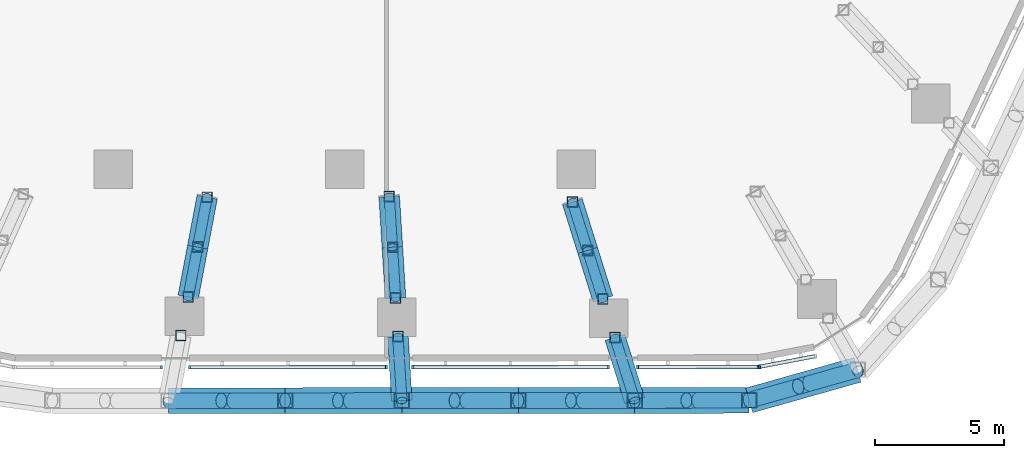
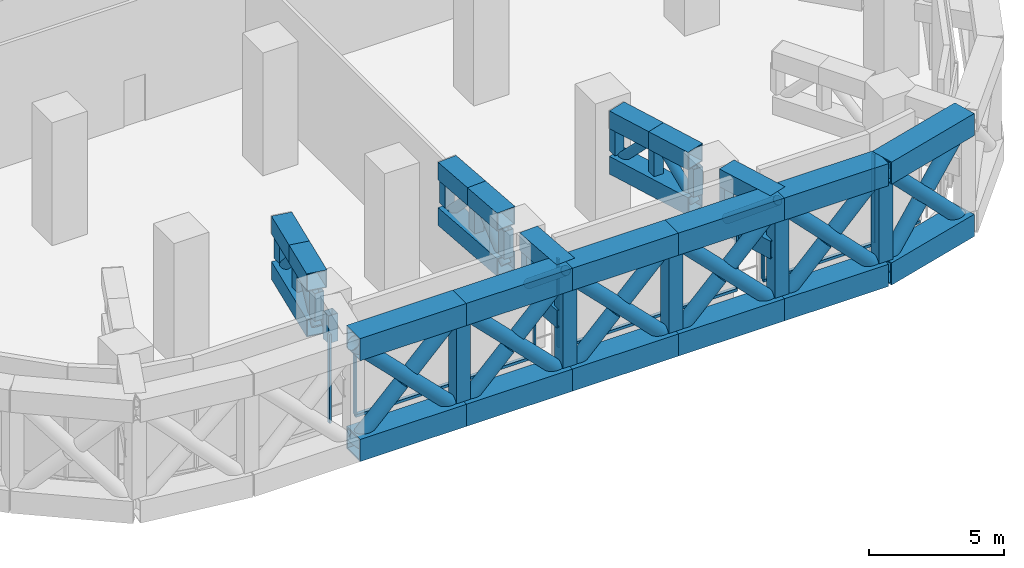
# One storey, part 5 of 38: 80 members, 2 elements without a shape of their own.
"""IFC4 building model written with IfcOpenShell, lengths in metres."""

from ifc_helpers import new_model, si_unit, direction, frame, origin, origin_2d, place, context, subcontext, project, spatial, rectangle, hollow_rectangle, hollow_circle, extrude, material, layer, layer_set, material_profile, profile_set, type_object, element, aggregate, save


model = new_model("IFC4")

# Units and contexts
model_context = context("Model", 3, precision=1e-05, world=origin(), true_north=direction((0.0, 1.0)))
body_context = subcontext(model_context, "Body", "Model", "MODEL_VIEW")
ifc_project = project(units=[si_unit("LENGTHUNIT", "METRE"), si_unit("AREAUNIT", "SQUARE_METRE"), si_unit("VOLUMEUNIT", "CUBIC_METRE"), si_unit("PLANEANGLEUNIT", "RADIAN"), si_unit("MASSUNIT", "GRAM", prefix="KILO")], contexts=[model_context])

# Site, building, storey
site_placement = place(None, origin())
site = spatial("IfcSite", under=ifc_project, at=site_placement, CompositionType="ELEMENT")
building_placement = place(site_placement, origin())
building = spatial("IfcBuilding", under=site, at=building_placement, Name="Dongbaek Canopy Tower", CompositionType="ELEMENT")
storey_placement = place(building_placement, frame((0.0, 0.0, 89.199951171875)))
storey = spatial("IfcBuildingStorey", under=building, at=storey_placement, Name="L18", CompositionType="ELEMENT", Elevation=89.199951171875)

# Members
ifc_material_1 = material(Name="Steel S355", Category="steel")
ifc_material_profile_1 = material_profile(ifc_material_1, hollow_circle(Radius=0.304931640625, WallThickness=0.01611328125, at=origin_2d()), Name="BELT BRACE CHS 610.0x16.0 Steel S355")
ifc_profile_set_1 = profile_set([ifc_material_profile_1], Name="Steel S355")
member_type_1 = type_object("IfcMemberType", Name="BELT BRACE CHS 610.0x16.0 Steel S355", PredefinedType="BRACE", material=ifc_profile_set_1)
member_1_placement = place(storey_placement, frame((19.9462890625, -34.79638671875, 0.5), z_axis=(-0.667371859076, -0.188280671631, 0.720531186281), x_axis=(0.271523728474, -0.962431745567, 0.0)))
element("IfcMember", 1, at=member_1_placement, inside=storey, type_object=member_type_1, Name="BELT:L18:0:D0:0", PredefinedType="BRACE", context=body_context, shape_type="SweptSolid", body=[
    extrude(hollow_circle(Radius=0.304931640625, WallThickness=0.01611328125, at=origin_2d()), origin(), (0.0, 0.0, 1.0), 6.31494140625),
])
for number, where, z_axis, x_axis, name in (
    (2, (15.73193359375, -35.9853515625, 0.5), (0.66737153422, 0.188305421994, 0.720525019247), (-0.271556912002, 0.962422383127, 0.0), "BELT:L18:0:D0:1"),
    (3, (19.9462890625, -34.79638671875, 5.050048828125), (-0.667382288527, -0.188222861674, -0.720536630091), (0.271442573778, -0.962454637446, 0.0), "BELT:L18:0:D0:2"),
):
    element("IfcMember", number, at=place(storey_placement, frame(where, z_axis=z_axis, x_axis=x_axis)), inside=storey, type_object=member_type_1, Name=name, PredefinedType="BRACE", context=body_context, shape_type="SweptSolid", body=[
        extrude(hollow_circle(Radius=0.304931640625, WallThickness=0.01611328125, at=origin_2d()), origin(), (0.0, 0.0, 1.0), 2.852294921875),
    ])
member_2_placement = place(storey_placement, frame((15.73193359375, -35.9853515625, 0.5), z_axis=(-0.699414652241, -0.000383493065, 0.71471602554), x_axis=(0.000548305653, -0.99999984968, 0.0)))
element("IfcMember", 4, at=member_2_placement, inside=storey, type_object=member_type_1, Name="BELT:L18:0:D1:0", PredefinedType="BRACE", context=body_context, shape_type="SweptSolid", body=[
    extrude(hollow_circle(Radius=0.304931640625, WallThickness=0.01611328125, at=origin_2d()), origin(), (0.0, 0.0, 1.0), 6.3662109375),
])
member_3_placement = place(storey_placement, frame((11.279296875, -35.98779296875, 0.5), z_axis=(0.699388314566, 0.000424128754, 0.714741775443), x_axis=(-0.000606428027, 0.999999816123, 0.0)))
element("IfcMember", 5, at=member_3_placement, inside=storey, type_object=member_type_1, Name="BELT:L18:0:D1:1", PredefinedType="BRACE", context=body_context, shape_type="SweptSolid", body=[
    extrude(hollow_circle(Radius=0.304931640625, WallThickness=0.01611328125, at=origin_2d()), origin(), (0.0, 0.0, 1.0), 2.878173828125),
])
member_4_placement = place(storey_placement, frame((15.73193359375, -35.9853515625, 5.050048828125), z_axis=(-0.699430741425, -0.000339323586, -0.714700302791), x_axis=(0.000485142454, -0.999999882318, 0.0)))
element("IfcMember", 6, at=member_4_placement, inside=storey, type_object=member_type_1, Name="BELT:L18:0:D1:2", PredefinedType="BRACE", context=body_context, shape_type="SweptSolid", body=[
    extrude(hollow_circle(Radius=0.304931640625, WallThickness=0.01611328125, at=origin_2d()), origin(), (0.0, 0.0, 1.0), 2.8779296875),
])
member_5_placement = place(storey_placement, frame((11.279296875, -35.98779296875, 0.5), z_axis=(-0.705221157199, -0.000342377301, 0.708987307515), x_axis=(0.000485489208, -0.99999988215, 0.0)))
element("IfcMember", 7, at=member_5_placement, inside=storey, type_object=member_type_1, Name="BELT:L18:1:D0:0", PredefinedType="BRACE", context=body_context, shape_type="SweptSolid", body=[
    extrude(hollow_circle(Radius=0.304931640625, WallThickness=0.01611328125, at=origin_2d()), origin(), (0.0, 0.0, 1.0), 6.417724609375),
])
for number, where, z_axis, x_axis, name in (
    (8, (6.75341796875, -35.989990234375, 0.5), (0.705212546334, 0.000336295921, 0.708995875445), (-0.000476871667, 0.999999886297, 0.0), "BELT:L18:1:D0:1"),
    (9, (11.279296875, -35.98779296875, 5.050048828125), (-0.705212546334, -0.000336295921, -0.708995875445), (0.000476871667, -0.999999886297, 0.0), "BELT:L18:1:D0:2"),
):
    element("IfcMember", number, at=place(storey_placement, frame(where, z_axis=z_axis, x_axis=x_axis)), inside=storey, type_object=member_type_1, Name=name, PredefinedType="BRACE", context=body_context, shape_type="SweptSolid", body=[
        extrude(hollow_circle(Radius=0.304931640625, WallThickness=0.01611328125, at=origin_2d()), origin(), (0.0, 0.0, 1.0), 2.90380859375),
    ])
member_6_placement = place(storey_placement, frame((6.75341796875, -35.989990234375, 0.5), z_axis=(-0.705221147503, -0.000380419219, 0.708987297768), x_axis=(0.000539432439, -0.999999854506, 0.0)))
element("IfcMember", 10, at=member_6_placement, inside=storey, type_object=member_type_1, Name="BELT:L18:1:D1:0", PredefinedType="BRACE", context=body_context, shape_type="SweptSolid", body=[
    extrude(hollow_circle(Radius=0.304931640625, WallThickness=0.01611328125, at=origin_2d()), origin(), (0.0, 0.0, 1.0), 6.417724609375),
])
for number, where, z_axis, x_axis, name in (
    (11, (2.2275390625, -35.992431640625, 0.5), (0.705212523903, 0.000420369888, 0.708995852893), (-0.000596089546, 0.999999822339, 0.0), "BELT:L18:1:D1:1"),
    (12, (6.75341796875, -35.989990234375, 5.050048828125), (-0.705212523903, -0.000420369888, -0.708995852893), (0.000596089546, -0.999999822339, 0.0), "BELT:L18:1:D1:2"),
):
    element("IfcMember", number, at=place(storey_placement, frame(where, z_axis=z_axis, x_axis=x_axis)), inside=storey, type_object=member_type_1, Name=name, PredefinedType="BRACE", context=body_context, shape_type="SweptSolid", body=[
        extrude(hollow_circle(Radius=0.304931640625, WallThickness=0.01611328125, at=origin_2d()), origin(), (0.0, 0.0, 1.0), 2.90380859375),
    ])
member_7_placement = place(storey_placement, frame((2.2275390625, -35.992431640625, 0.5), z_axis=(-0.70606103942, -0.000379970423, 0.708150876745), x_axis=(0.000538155126, -0.999999855195, 0.0)))
element("IfcMember", 13, at=member_7_placement, inside=storey, type_object=member_type_1, Name="BELT:L18:2:D0:0", PredefinedType="BRACE", context=body_context, shape_type="SweptSolid", body=[
    extrude(hollow_circle(Radius=0.304931640625, WallThickness=0.01611328125, at=origin_2d()), origin(), (0.0, 0.0, 1.0), 6.42529296875),
])
for number, where, z_axis, x_axis, name in (
    (14, (-2.30908203125, -35.994873046875, 0.5), (0.706056385326, 0.000419821849, 0.70815549457), (-0.000594600918, 0.999999823225, 0.0), "BELT:L18:2:D0:1"),
    (15, (2.2275390625, -35.992431640625, 5.050048828125), (-0.706056407726, -0.00033585749, -0.708155517036), (0.000475680764, -0.999999886864, 0.0), "BELT:L18:2:D0:2"),
):
    element("IfcMember", number, at=place(storey_placement, frame(where, z_axis=z_axis, x_axis=x_axis)), inside=storey, type_object=member_type_1, Name=name, PredefinedType="BRACE", context=body_context, shape_type="SweptSolid", body=[
        extrude(hollow_circle(Radius=0.304931640625, WallThickness=0.01611328125, at=origin_2d()), origin(), (0.0, 0.0, 1.0), 2.90771484375),
    ])
member_8_placement = place(storey_placement, frame((-2.30908203125, -35.994873046875, 0.5), z_axis=(-0.70606103942, -0.000379970423, 0.708150876745), x_axis=(0.000538155126, -0.999999855195, 0.0)))
element("IfcMember", 16, at=member_8_placement, inside=storey, type_object=member_type_1, Name="BELT:L18:2:D1:0", PredefinedType="BRACE", context=body_context, shape_type="SweptSolid", body=[
    extrude(hollow_circle(Radius=0.304931640625, WallThickness=0.01611328125, at=origin_2d()), origin(), (0.0, 0.0, 1.0), 6.42529296875),
])
for number, where, z_axis, x_axis, name in (
    (17, (-6.845703125, -35.997314453125, 0.5), (0.706056385326, 0.000419821849, 0.70815549457), (-0.000594600918, 0.999999823225, 0.0), "BELT:L18:2:D1:1"),
    (18, (-2.30908203125, -35.994873046875, 5.050048828125), (-0.706056407726, -0.00033585749, -0.708155517036), (0.000475680764, -0.999999886864, 0.0), "BELT:L18:2:D1:2"),
):
    element("IfcMember", number, at=place(storey_placement, frame(where, z_axis=z_axis, x_axis=x_axis)), inside=storey, type_object=member_type_1, Name=name, PredefinedType="BRACE", context=body_context, shape_type="SweptSolid", body=[
        extrude(hollow_circle(Radius=0.304931640625, WallThickness=0.01611328125, at=origin_2d()), origin(), (0.0, 0.0, 1.0), 2.90771484375),
    ])
ifc_material_2 = material(Name="Steel S355", Category="steel")
ifc_material_profile_2 = material_profile(ifc_material_2, hollow_rectangle(XDim=1.0, YDim=1.0, WallThickness=0.050048828125, at=origin_2d()), Name="BELT CHORD BOX 1000x1000x50 Steel S355")
ifc_profile_set_2 = profile_set([ifc_material_profile_2], Name="Steel S355")
member_type_2 = type_object("IfcMemberType", Name="BELT CHORD BOX 1000x1000x50 Steel S355", PredefinedType="CHORD", material=ifc_profile_set_2)
for number, where, z_axis, x_axis, name in (
    (19, (19.9462890625, -34.79638671875, 0.5), (-0.962431745567, -0.271523728474, 0.0), (0.271523728474, -0.962431745567, 0.0), "BELT:L18:0:CB0"),
    (20, (19.9462890625, -34.79638671875, 5.050048828125), (-0.962431745567, -0.271523728474, 0.0), (0.271523728474, -0.962431745567, 0.0), "BELT:L18:0:CT0"),
):
    element("IfcMember", number, at=place(storey_placement, frame(where, z_axis=z_axis, x_axis=x_axis)), inside=storey, type_object=member_type_2, Name=name, PredefinedType="CHORD", context=body_context, shape_type="SweptSolid", body=[
        extrude(hollow_rectangle(XDim=1.0, YDim=1.0, WallThickness=0.050048828125, at=origin_2d()), origin(), (0.0, 0.0, 1.0), 4.37890625),
    ])
for number, where, z_axis, x_axis, name in (
    (21, (15.73193359375, -35.9853515625, 0.5), (-0.99999984968, -0.000548305653, 0.0), (0.000548305653, -0.99999984968, 0.0), "BELT:L18:0:CB1"),
    (22, (15.73193359375, -35.9853515625, 5.050048828125), (-0.99999984968, -0.000548305653, 0.0), (0.000548305653, -0.99999984968, 0.0), "BELT:L18:0:CT1"),
):
    element("IfcMember", number, at=place(storey_placement, frame(where, z_axis=z_axis, x_axis=x_axis)), inside=storey, type_object=member_type_2, Name=name, PredefinedType="CHORD", context=body_context, shape_type="SweptSolid", body=[
        extrude(hollow_rectangle(XDim=1.0, YDim=1.0, WallThickness=0.050048828125, at=origin_2d()), origin(), (0.0, 0.0, 1.0), 4.45263671875),
    ])
for number, where, z_axis, x_axis, name in (
    (23, (11.279296875, -35.98779296875, 0.5), (-0.99999988215, -0.000485489208, 0.0), (0.000485489208, -0.99999988215, 0.0), "BELT:L18:1:CB0"),
    (24, (11.279296875, -35.98779296875, 5.050048828125), (-0.99999988215, -0.000485489208, 0.0), (0.000485489208, -0.99999988215, 0.0), "BELT:L18:1:CT0"),
    (25, (6.75341796875, -35.989990234375, 0.5), (-0.999999854506, -0.000539432439, 0.0), (0.000539432439, -0.999999854506, 0.0), "BELT:L18:1:CB1"),
    (26, (6.75341796875, -35.989990234375, 5.050048828125), (-0.999999854506, -0.000539432439, 0.0), (0.000539432439, -0.999999854506, 0.0), "BELT:L18:1:CT1"),
):
    element("IfcMember", number, at=place(storey_placement, frame(where, z_axis=z_axis, x_axis=x_axis)), inside=storey, type_object=member_type_2, Name=name, PredefinedType="CHORD", context=body_context, shape_type="SweptSolid", body=[
        extrude(hollow_rectangle(XDim=1.0, YDim=1.0, WallThickness=0.050048828125, at=origin_2d()), origin(), (0.0, 0.0, 1.0), 4.52587890625),
    ])
for number, where, z_axis, x_axis, name in (
    (27, (2.2275390625, -35.992431640625, 0.5), (-0.999999855195, -0.000538155126, 0.0), (0.000538155126, -0.999999855195, 0.0), "BELT:L18:2:CB0"),
    (28, (2.2275390625, -35.992431640625, 5.050048828125), (-0.999999855195, -0.000538155126, 0.0), (0.000538155126, -0.999999855195, 0.0), "BELT:L18:2:CT0"),
    (29, (-2.30908203125, -35.994873046875, 0.5), (-0.999999855195, -0.000538155126, 0.0), (0.000538155126, -0.999999855195, 0.0), "BELT:L18:2:CB1"),
    (30, (-2.30908203125, -35.994873046875, 5.050048828125), (-0.999999855195, -0.000538155126, 0.0), (0.000538155126, -0.999999855195, 0.0), "BELT:L18:2:CT1"),
):
    element("IfcMember", number, at=place(storey_placement, frame(where, z_axis=z_axis, x_axis=x_axis)), inside=storey, type_object=member_type_2, Name=name, PredefinedType="CHORD", context=body_context, shape_type="SweptSolid", body=[
        extrude(hollow_rectangle(XDim=1.0, YDim=1.0, WallThickness=0.050048828125, at=origin_2d()), origin(), (0.0, 0.0, 1.0), 4.53662109375),
    ])
ifc_material_3 = material(Name="Steel S355", Category="steel")
ifc_material_profile_3 = material_profile(ifc_material_3, hollow_rectangle(XDim=0.60009765625, YDim=0.60009765625, WallThickness=0.031982421875, at=origin_2d()), Name="BELT POST BOX 600x600x32 Steel S355")
ifc_profile_set_3 = profile_set([ifc_material_profile_3], Name="Steel S355")
member_type_3 = type_object("IfcMemberType", Name="BELT POST BOX 600x600x32 Steel S355", PredefinedType="POST", material=ifc_profile_set_3)
for number, where, z_axis, x_axis, name in (
    (31, (15.73193359375, -35.9853515625, 1.0), (0.0, 0.0, 1.0), (1.0, 0.0, 0.0), "BELT:L18:0:P1"),
    (32, (11.279296875, -35.98779296875, 1.0), (0.0, 0.0, 1.0), (1.0, 0.0, 0.0), "BELT:L18:1:P0"),
    (33, (6.75341796875, -35.989990234375, 1.0), (0.0, 0.0, 1.0), (1.0, 0.0, 0.0), "BELT:L18:1:P1"),
    (34, (2.2275390625, -35.992431640625, 1.0), (0.0, 0.0, 1.0), (1.0, 0.0, 0.0), "BELT:L18:2:P0"),
    (35, (-2.30908203125, -35.994873046875, 1.0), (0.0, 0.0, 1.0), (1.0, 0.0, 0.0), "BELT:L18:2:P1"),
):
    element("IfcMember", number, at=place(storey_placement, frame(where, z_axis=z_axis, x_axis=x_axis)), inside=storey, type_object=member_type_3, Name=name, PredefinedType="POST", context=body_context, shape_type="SweptSolid", body=[
        extrude(hollow_rectangle(XDim=0.60009765625, YDim=0.60009765625, WallThickness=0.031982421875, at=origin_2d()), origin(), (0.0, 0.0, 1.0), 3.550048828125),
    ])
ifc_material_4 = material(Name="Steel S355", Category="steel")
ifc_material_profile_4 = material_profile(ifc_material_4, hollow_circle(Radius=0.203125, WallThickness=0.0126953125, at=origin_2d()), Name="BRACE CHS 406.4x12.7 Steel S355")
ifc_profile_set_4 = profile_set([ifc_material_profile_4], Name="Steel S355")
member_type_4 = type_object("IfcMemberType", Name="BRACE CHS 406.4x12.7 Steel S355", PredefinedType="BRACE", material=ifc_profile_set_4)
for number, where, z_axis, x_axis, name in (
    (36, (8.860595703125, -28.270751953125, 3.10009765625), (0.207540446314, -0.662071175845, 0.720131044504), (0.954215683255, 0.299119424026, 0.0), "TRUSS:L18:1:D0"),
    (37, (9.451416015625, -30.155517578125, 5.150146484375), (0.20747015763, -0.662034785758, -0.720184751394), (0.954239904149, 0.29904214641, 0.0), "TRUSS:L18:1:D1"),
    (38, (1.736572265625, -28.060546875, 3.10009765625), (0.042882674138, -0.692469421974, 0.720171629467), (0.998088010153, 0.061808769517, 0.0), "TRUSS:L18:2:D0"),
    (39, (1.858642578125, -30.03173828125, 5.150146484375), (0.042882674138, -0.692469421974, -0.720171629467), (0.998088010153, 0.061808769517, 0.0), "TRUSS:L18:2:D1"),
    (40, (-5.34130859375, -28.08642578125, 3.10009765625), (-0.129668922106, -0.681619439749, 0.720125620983), (0.982381814071, -0.186884914806, 0.0), "TRUSS:L18:3:D0"),
    (41, (-5.71044921875, -30.02685546875, 5.150146484375), (-0.129592178101, -0.681581098192, -0.720175724364), (0.982400187309, -0.186788307918, 0.0), "TRUSS:L18:3:D1"),
):
    element("IfcMember", number, at=place(storey_placement, frame(where, z_axis=z_axis, x_axis=x_axis)), inside=storey, type_object=member_type_4, Name=name, PredefinedType="BRACE", context=body_context, shape_type="SweptSolid", body=[
        extrude(hollow_circle(Radius=0.203125, WallThickness=0.0126953125, at=origin_2d()), origin(), (0.0, 0.0, 1.0), 2.8466796875),
    ])
member_9_placement = place(storey_placement, frame((10.51220703125, -33.5400390625, 3.10009765625), z_axis=(0.233605980884, -0.745427614369, 0.624312355661), x_axis=(0.954239186371, 0.299044436822, 0.0)))
element("IfcMember", 42, at=member_9_placement, inside=storey, type_object=member_type_4, Name="TRUSS:L18:1x:D0", PredefinedType="BRACE", context=body_context, shape_type="SweptSolid", body=[
    extrude(hollow_circle(Radius=0.203125, WallThickness=0.0126953125, at=origin_2d()), origin(), (0.0, 0.0, 1.0), 3.28369140625),
])
member_10_placement = place(storey_placement, frame((2.073486328125, -33.5029296875, 3.10009765625), z_axis=(0.047714581387, -0.771070659913, 0.634959334244), x_axis=(0.998090855499, 0.06176280571, 0.0)))
element("IfcMember", 43, at=member_10_placement, inside=storey, type_object=member_type_4, Name="TRUSS:L18:2x:D0", PredefinedType="BRACE", context=body_context, shape_type="SweptSolid", body=[
    extrude(hollow_circle(Radius=0.203125, WallThickness=0.0126953125, at=origin_2d()), origin(), (0.0, 0.0, 1.0), 3.228515625),
])
ifc_material_5 = material(Name="Steel S355", Category="steel")
ifc_material_profile_5 = material_profile(ifc_material_5, hollow_rectangle(XDim=0.800048828125, YDim=0.800048828125, WallThickness=0.0400390625, at=origin_2d()), Name="CHORD BOX 800x800x40 Steel S355")
ifc_profile_set_5 = profile_set([ifc_material_profile_5], Name="Steel S355")
member_type_5 = type_object("IfcMemberType", Name="CHORD BOX 800x800x40 Steel S355", PredefinedType="CHORD", material=ifc_profile_set_5)
member_11_placement = place(storey_placement, frame((8.860595703125, -28.270751953125, 3.10009765625), z_axis=(0.299080788456, -0.954227793546, 0.0), x_axis=(0.954227793546, 0.299080788456, 0.0)))
element("IfcMember", 44, at=member_11_placement, inside=storey, type_object=member_type_5, Name="TRUSS:L18:1:CB", PredefinedType="CHORD", context=body_context, shape_type="SweptSolid", body=[
    extrude(hollow_rectangle(XDim=0.800048828125, YDim=0.800048828125, WallThickness=0.0400390625, at=origin_2d()), origin(), (0.0, 0.0, 1.0), 3.9501953125),
])
member_12_placement = place(storey_placement, frame((8.860595703125, -28.270751953125, 5.150146484375), z_axis=(0.299119424026, -0.954215683255, 0.0), x_axis=(0.954215683255, 0.299119424026, 0.0)))
element("IfcMember", 45, at=member_12_placement, inside=storey, type_object=member_type_5, Name="TRUSS:L18:1:CT0", PredefinedType="CHORD", context=body_context, shape_type="SweptSolid", body=[
    extrude(hollow_rectangle(XDim=0.800048828125, YDim=0.800048828125, WallThickness=0.0400390625, at=origin_2d()), origin(), (0.0, 0.0, 1.0), 1.97509765625),
])
member_13_placement = place(storey_placement, frame((9.451416015625, -30.155517578125, 5.150146484375), z_axis=(0.29904214641, -0.954239904149, 0.0), x_axis=(0.954239904149, 0.29904214641, 0.0)))
element("IfcMember", 46, at=member_13_placement, inside=storey, type_object=member_type_5, Name="TRUSS:L18:1:CT1", PredefinedType="CHORD", context=body_context, shape_type="SweptSolid", body=[
    extrude(hollow_rectangle(XDim=0.800048828125, YDim=0.800048828125, WallThickness=0.0400390625, at=origin_2d()), origin(), (0.0, 0.0, 1.0), 1.974853515625),
])
member_14_placement = place(storey_placement, frame((1.736572265625, -28.060546875, 3.10009765625), z_axis=(0.061808769517, -0.998088010153, 0.0), x_axis=(0.998088010153, 0.061808769517, 0.0)))
element("IfcMember", 47, at=member_14_placement, inside=storey, type_object=member_type_5, Name="TRUSS:L18:2:CB", PredefinedType="CHORD", context=body_context, shape_type="SweptSolid", body=[
    extrude(hollow_rectangle(XDim=0.800048828125, YDim=0.800048828125, WallThickness=0.0400390625, at=origin_2d()), origin(), (0.0, 0.0, 1.0), 3.949951171875),
])
for number, where, z_axis, x_axis, name in (
    (48, (1.736572265625, -28.060546875, 5.150146484375), (0.061808769517, -0.998088010153, 0.0), (0.998088010153, 0.061808769517, 0.0), "TRUSS:L18:2:CT0"),
    (49, (1.858642578125, -30.03173828125, 5.150146484375), (0.061808769517, -0.998088010153, 0.0), (0.998088010153, 0.061808769517, 0.0), "TRUSS:L18:2:CT1"),
):
    element("IfcMember", number, at=place(storey_placement, frame(where, z_axis=z_axis, x_axis=x_axis)), inside=storey, type_object=member_type_5, Name=name, PredefinedType="CHORD", context=body_context, shape_type="SweptSolid", body=[
        extrude(hollow_rectangle(XDim=0.800048828125, YDim=0.800048828125, WallThickness=0.0400390625, at=origin_2d()), origin(), (0.0, 0.0, 1.0), 1.974853515625),
    ])
member_15_placement = place(storey_placement, frame((-5.34130859375, -28.08642578125, 3.10009765625), z_axis=(-0.186836615078, -0.982391001214, 0.0), x_axis=(0.982391001214, -0.186836615078, 0.0)))
element("IfcMember", 50, at=member_15_placement, inside=storey, type_object=member_type_5, Name="TRUSS:L18:3:CB", PredefinedType="CHORD", context=body_context, shape_type="SweptSolid", body=[
    extrude(hollow_rectangle(XDim=0.800048828125, YDim=0.800048828125, WallThickness=0.0400390625, at=origin_2d()), origin(), (0.0, 0.0, 1.0), 3.9501953125),
])
member_16_placement = place(storey_placement, frame((-5.34130859375, -28.08642578125, 5.150146484375), z_axis=(-0.186884914806, -0.982381814071, 0.0), x_axis=(0.982381814071, -0.186884914806, 0.0)))
element("IfcMember", 51, at=member_16_placement, inside=storey, type_object=member_type_5, Name="TRUSS:L18:3:CT0", PredefinedType="CHORD", context=body_context, shape_type="SweptSolid", body=[
    extrude(hollow_rectangle(XDim=0.800048828125, YDim=0.800048828125, WallThickness=0.0400390625, at=origin_2d()), origin(), (0.0, 0.0, 1.0), 1.975341796875),
])
member_17_placement = place(storey_placement, frame((-5.71044921875, -30.02685546875, 5.150146484375), z_axis=(-0.186788307918, -0.982400187309, 0.0), x_axis=(0.982400187309, -0.186788307918, 0.0)))
element("IfcMember", 52, at=member_17_placement, inside=storey, type_object=member_type_5, Name="TRUSS:L18:3:CT1", PredefinedType="CHORD", context=body_context, shape_type="SweptSolid", body=[
    extrude(hollow_rectangle(XDim=0.800048828125, YDim=0.800048828125, WallThickness=0.0400390625, at=origin_2d()), origin(), (0.0, 0.0, 1.0), 1.974853515625),
])
for number, where, z_axis, x_axis, name in (
    (53, (10.51220703125, -33.5400390625, 3.10009765625), (0.299044436822, -0.954239186371, 0.0), (0.954239186371, 0.299044436822, 0.0), "TRUSS:L18:1x:CB"),
    (54, (10.51220703125, -33.5400390625, 5.150146484375), (0.299044436822, -0.954239186371, 0.0), (0.954239186371, 0.299044436822, 0.0), "TRUSS:L18:1x:CT0"),
):
    element("IfcMember", number, at=place(storey_placement, frame(where, z_axis=z_axis, x_axis=x_axis)), inside=storey, type_object=member_type_5, Name=name, PredefinedType="CHORD", context=body_context, shape_type="SweptSolid", body=[
        extrude(hollow_rectangle(XDim=0.800048828125, YDim=0.800048828125, WallThickness=0.0400390625, at=origin_2d()), origin(), (0.0, 0.0, 1.0), 2.565185546875),
    ])
for number, where, z_axis, x_axis, name in (
    (55, (2.073486328125, -33.5029296875, 3.10009765625), (0.06176280571, -0.998090855499, 0.0), (0.998090855499, 0.06176280571, 0.0), "TRUSS:L18:2x:CB"),
    (56, (2.073486328125, -33.5029296875, 5.150146484375), (0.06176280571, -0.998090855499, 0.0), (0.998090855499, 0.06176280571, 0.0), "TRUSS:L18:2x:CT0"),
):
    element("IfcMember", number, at=place(storey_placement, frame(where, z_axis=z_axis, x_axis=x_axis)), inside=storey, type_object=member_type_5, Name=name, PredefinedType="CHORD", context=body_context, shape_type="SweptSolid", body=[
        extrude(hollow_rectangle(XDim=0.800048828125, YDim=0.800048828125, WallThickness=0.0400390625, at=origin_2d()), origin(), (0.0, 0.0, 1.0), 2.494384765625),
    ])

# Curtain wall, members
ifc_material_6 = material(Name="Aluminium 6063-T6 pale anodised", Category="aluminium")
ifc_layer = layer(ifc_material_6, 0.14990234375)
ifc_layer_set = layer_set([ifc_layer], Name="CW-7 louvre curtain wall")
curtain_wall_type = type_object("IfcCurtainWallType", Name="CW-7 louvre curtain wall", PredefinedType="NOTDEFINED", material=ifc_layer_set)
curtain_wall_1_placement = place(storey_placement, origin())
curtain_wall_1 = element("IfcCurtainWall", 57, at=curtain_wall_1_placement, inside=storey, type_object=curtain_wall_type, Name="CW-7 louvre wall L18 F4", PredefinedType="NOTDEFINED")
ifc_material_7 = material(Name="Aluminium 6063-T6 pale anodised", Category="aluminium")
ifc_material_profile_6 = material_profile(ifc_material_7, rectangle(XDim=0.14990234375, YDim=0.080078125, at=origin_2d()), Name="CW-7 mullion 80 x 150")
ifc_profile_set_6 = profile_set([ifc_material_profile_6], Name="Aluminium 6063-T6 pale anodised")
member_type_6 = type_object("IfcMemberType", Name="CW-7 mullion 80 x 150", PredefinedType="MULLION", material=ifc_profile_set_6)
member_18_placement = place(storey_placement, frame((-7.113037109375, -34.697265625, 0.775146484375), z_axis=(0.0, 0.0, 1.0), x_axis=(0.000524044387, -0.999999862689, 0.0)))
member_18 = element("IfcMember", 58, at=member_18_placement, type_object=member_type_6, Name="CW-7 mullion L18 F4.1.2", PredefinedType="MULLION", context=body_context, shape_type="SweptSolid", body=[
    extrude(rectangle(XDim=0.14990234375, YDim=0.080078125, at=origin_2d()), origin(), (0.0, 0.0, 1.0), 4.0),
])
member_19_placement = place(storey_placement, frame((-6.0322265625, -34.69677734375, 0.775146484375), z_axis=(0.0, 0.0, 1.0), x_axis=(0.000524044387, -0.999999862689, 0.0)))
member_19 = element("IfcMember", 59, at=member_19_placement, type_object=member_type_6, Name="CW-7 mullion L18 F4.2.1", PredefinedType="MULLION", context=body_context, shape_type="SweptSolid", body=[
    extrude(rectangle(XDim=0.14990234375, YDim=0.080078125, at=origin_2d()), origin(), (0.0, 0.0, 1.0), 4.0),
])
member_20_placement = place(storey_placement, frame((1.625244140625, -34.692626953125, 0.775146484375), z_axis=(0.0, 0.0, 1.0), x_axis=(0.000524044387, -0.999999862689, 0.0)))
member_20 = element("IfcMember", 60, at=member_20_placement, type_object=member_type_6, Name="CW-7 mullion L18 F4.2.2", PredefinedType="MULLION", context=body_context, shape_type="SweptSolid", body=[
    extrude(rectangle(XDim=0.14990234375, YDim=0.080078125, at=origin_2d()), origin(), (0.0, 0.0, 1.0), 4.0),
])
member_21_placement = place(storey_placement, frame((2.651123046875, -34.692138671875, 0.775146484375), z_axis=(0.0, 0.0, 1.0), x_axis=(0.000524044387, -0.999999862689, 0.0)))
member_21 = element("IfcMember", 61, at=member_21_placement, type_object=member_type_6, Name="CW-7 mullion L18 F4.3.1", PredefinedType="MULLION", context=body_context, shape_type="SweptSolid", body=[
    extrude(rectangle(XDim=0.14990234375, YDim=0.080078125, at=origin_2d()), origin(), (0.0, 0.0, 1.0), 4.0),
])
member_22_placement = place(storey_placement, frame((10.26220703125, -34.688232421875, 0.775146484375), z_axis=(0.0, 0.0, 1.0), x_axis=(0.000524044387, -0.999999862689, 0.0)))
member_22 = element("IfcMember", 62, at=member_22_placement, type_object=member_type_6, Name="CW-7 mullion L18 F4.3.2", PredefinedType="MULLION", context=body_context, shape_type="SweptSolid", body=[
    extrude(rectangle(XDim=0.14990234375, YDim=0.080078125, at=origin_2d()), origin(), (0.0, 0.0, 1.0), 4.0),
])
member_23_placement = place(storey_placement, frame((11.39501953125, -34.6875, 0.775146484375), z_axis=(0.0, 0.0, 1.0), x_axis=(0.000524044387, -0.999999862689, 0.0)))
member_23 = element("IfcMember", 63, at=member_23_placement, type_object=member_type_6, Name="CW-7 mullion L18 F4.4.1", PredefinedType="MULLION", context=body_context, shape_type="SweptSolid", body=[
    extrude(rectangle(XDim=0.14990234375, YDim=0.080078125, at=origin_2d()), origin(), (0.0, 0.0, 1.0), 4.0),
])
member_24_placement = place(storey_placement, frame((16.071044921875, -34.68505859375, 0.775146484375), z_axis=(0.0, 0.0, 1.0), x_axis=(0.000524044387, -0.999999862689, 0.0)))
member_24 = element("IfcMember", 64, at=member_24_placement, type_object=member_type_6, Name="CW-7 mullion L18 F4.4.2", PredefinedType="MULLION", context=body_context, shape_type="SweptSolid", body=[
    extrude(rectangle(XDim=0.14990234375, YDim=0.080078125, at=origin_2d()), origin(), (0.0, 0.0, 1.0), 4.0),
])

# Curtain wall, member
curtain_wall_2_placement = place(storey_placement, origin())
curtain_wall_2 = element("IfcCurtainWall", 65, at=curtain_wall_2_placement, inside=storey, type_object=curtain_wall_type, Name="CW-7 louvre wall L18 K5", PredefinedType="NOTDEFINED")
member_25_placement = place(storey_placement, frame((16.136474609375, -34.678955078125, 0.775146484375), z_axis=(0.0, 0.0, 1.0), x_axis=(0.187582280814, -0.982248893064, 0.0)))
member_25 = element("IfcMember", 66, at=member_25_placement, type_object=member_type_6, Name="CW-7 mullion L18 K5.1.1", PredefinedType="MULLION", context=body_context, shape_type="SweptSolid", body=[
    extrude(rectangle(XDim=0.14990234375, YDim=0.080078125, at=origin_2d()), origin(), (0.0, 0.0, 1.0), 4.0),
])

# Member
ifc_material_8 = material(Name="Aluminium 6063-T6 pale anodised", Category="aluminium")
ifc_material_profile_7 = material_profile(ifc_material_8, rectangle(XDim=0.14990234375, YDim=0.1201171875, at=origin_2d()), Name="CW-7 transom 120 x 150")
ifc_profile_set_7 = profile_set([ifc_material_profile_7], Name="Aluminium 6063-T6 pale anodised")
member_type_7 = type_object("IfcMemberType", Name="CW-7 transom 120 x 150", PredefinedType="USERDEFINED", material=ifc_profile_set_7)
member_26_placement = place(storey_placement, frame((-6.0322265625, -34.69677734375, 0.715087890625), z_axis=(0.999999853115, 0.00054200534, 0.0), x_axis=(-0.00054200534, 0.999999853115, 0.0)))
member_26 = element("IfcMember", 67, at=member_26_placement, type_object=member_type_7, Name="CW-7 transom L18 F4.2", ObjectType="TRANSOM", PredefinedType="USERDEFINED", context=body_context, shape_type="SweptSolid", body=[
    extrude(rectangle(XDim=0.14990234375, YDim=0.1201171875, at=origin_2d()), origin(), (0.0, 0.0, 1.0), 7.657470703125),
])

member_27_placement = place(storey_placement, frame((2.651123046875, -34.692138671875, 0.715087890625), z_axis=(0.999999868297, 0.000513231689, 0.0), x_axis=(-0.000513231689, 0.999999868297, 0.0)))
member_27 = element("IfcMember", 68, at=member_27_placement, type_object=member_type_7, Name="CW-7 transom L18 F4.3", ObjectType="TRANSOM", PredefinedType="USERDEFINED", context=body_context, shape_type="SweptSolid", body=[
    extrude(rectangle(XDim=0.14990234375, YDim=0.1201171875, at=origin_2d()), origin(), (0.0, 0.0, 1.0), 7.611083984375),
])

member_28_placement = place(storey_placement, frame((11.39501953125, -34.6875, 0.715087890625), z_axis=(0.9999998637, 0.000522111347, 0.0), x_axis=(-0.000522111347, 0.9999998637, 0.0)))
member_28 = element("IfcMember", 69, at=member_28_placement, type_object=member_type_7, Name="CW-7 transom L18 F4.4", ObjectType="TRANSOM", PredefinedType="USERDEFINED", context=body_context, shape_type="SweptSolid", body=[
    extrude(rectangle(XDim=0.14990234375, YDim=0.1201171875, at=origin_2d()), origin(), (0.0, 0.0, 1.0), 4.676025390625),
])

aggregate(curtain_wall_1, [member_18, member_26, member_19, member_20, member_27, member_21, member_22, member_28, member_23, member_24])

member_29_placement = place(storey_placement, frame((16.136474609375, -34.678955078125, 0.715087890625), z_axis=(0.982246854251, 0.187592956464, 0.0), x_axis=(-0.187592956464, 0.982246854251, 0.0)))
member_29 = element("IfcMember", 70, at=member_29_placement, type_object=member_type_7, Name="CW-7 transom L18 K5.1", ObjectType="TRANSOM", PredefinedType="USERDEFINED", context=body_context, shape_type="SweptSolid", body=[
    extrude(rectangle(XDim=0.14990234375, YDim=0.1201171875, at=origin_2d()), origin(), (0.0, 0.0, 1.0), 2.21630859375),
])

aggregate(curtain_wall_2, [member_29, member_25])

# Members
ifc_material_9 = material(Name="Steel S355", Category="steel")
ifc_material_profile_8 = material_profile(ifc_material_9, hollow_rectangle(XDim=0.39990234375, YDim=0.39990234375, WallThickness=0.01611328125, at=origin_2d()), Name="POST SHS 400x400x16 Steel S355")
ifc_profile_set_8 = profile_set([ifc_material_profile_8], Name="Steel S355")
member_type_8 = type_object("IfcMemberType", Name="POST SHS 400x400x16 Steel S355", PredefinedType="POST", material=ifc_profile_set_8)
for number, where, z_axis, x_axis, name in (
    (71, (8.860595703125, -28.270751953125, 3.5), (0.0, 0.0, 1.0), (1.0, 0.0, 0.0), "TRUSS:L18:1:P0"),
    (72, (9.451416015625, -30.155517578125, 3.5), (0.0, 0.0, 1.0), (1.0, 0.0, 0.0), "TRUSS:L18:1:P1"),
    (73, (10.0419921875, -32.0400390625, 3.5), (0.0, 0.0, 1.0), (1.0, 0.0, 0.0), "TRUSS:L18:1:P2"),
    (74, (1.736572265625, -28.060546875, 3.5), (0.0, 0.0, 1.0), (1.0, 0.0, 0.0), "TRUSS:L18:2:P0"),
    (75, (1.858642578125, -30.03173828125, 3.5), (0.0, 0.0, 1.0), (1.0, 0.0, 0.0), "TRUSS:L18:2:P1"),
    (76, (1.980712890625, -32.0029296875, 3.5), (0.0, 0.0, 1.0), (1.0, 0.0, 0.0), "TRUSS:L18:2:P2"),
    (77, (-5.34130859375, -28.08642578125, 3.5), (0.0, 0.0, 1.0), (1.0, 0.0, 0.0), "TRUSS:L18:3:P0"),
    (78, (-5.71044921875, -30.02685546875, 3.5), (0.0, 0.0, 1.0), (1.0, 0.0, 0.0), "TRUSS:L18:3:P1"),
    (79, (-6.079345703125, -31.967041015625, 3.5), (0.0, 0.0, 1.0), (1.0, 0.0, 0.0), "TRUSS:L18:3:P2"),
    (80, (10.51220703125, -33.5400390625, 3.5), (0.0, 0.0, 1.0), (1.0, 0.0, 0.0), "TRUSS:L18:1x:P0"),
    (81, (2.073486328125, -33.5029296875, 3.5), (0.0, 0.0, 1.0), (1.0, 0.0, 0.0), "TRUSS:L18:2x:P0"),
    (82, (-6.364501953125, -33.467041015625, 3.5), (0.0, 0.0, 1.0), (1.0, 0.0, 0.0), "TRUSS:L18:3x:P0"),
):
    element("IfcMember", number, at=place(storey_placement, frame(where, z_axis=z_axis, x_axis=x_axis)), inside=storey, type_object=member_type_8, Name=name, PredefinedType="POST", context=body_context, shape_type="SweptSolid", body=[
        extrude(hollow_rectangle(XDim=0.39990234375, YDim=0.39990234375, WallThickness=0.01611328125, at=origin_2d()), origin(), (0.0, 0.0, 1.0), 1.25),
    ])

save(model, "model.ifc")
